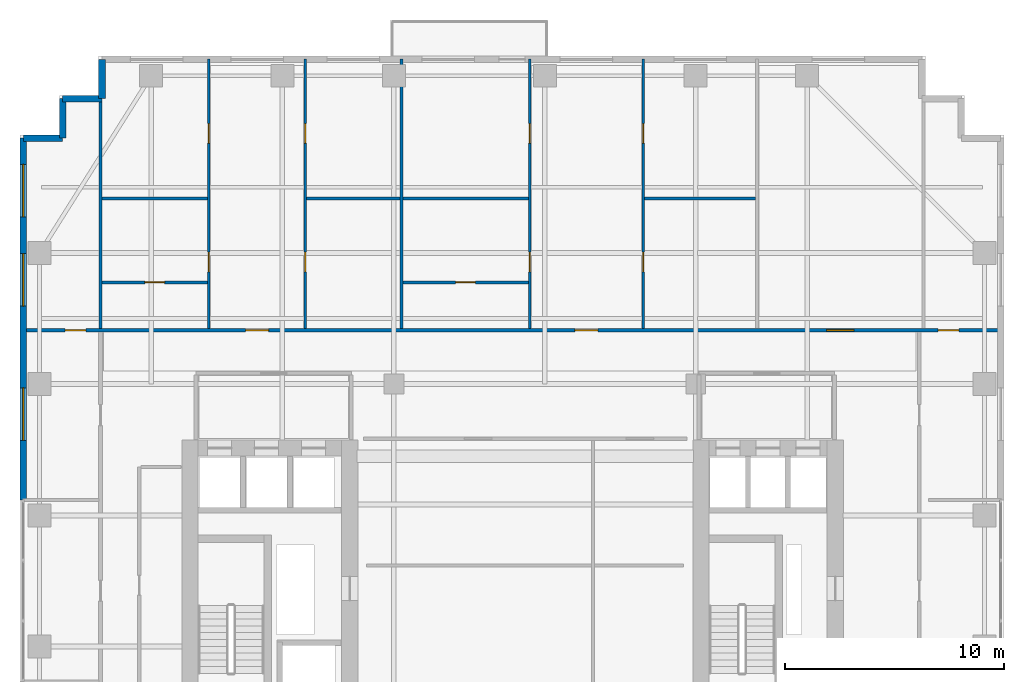
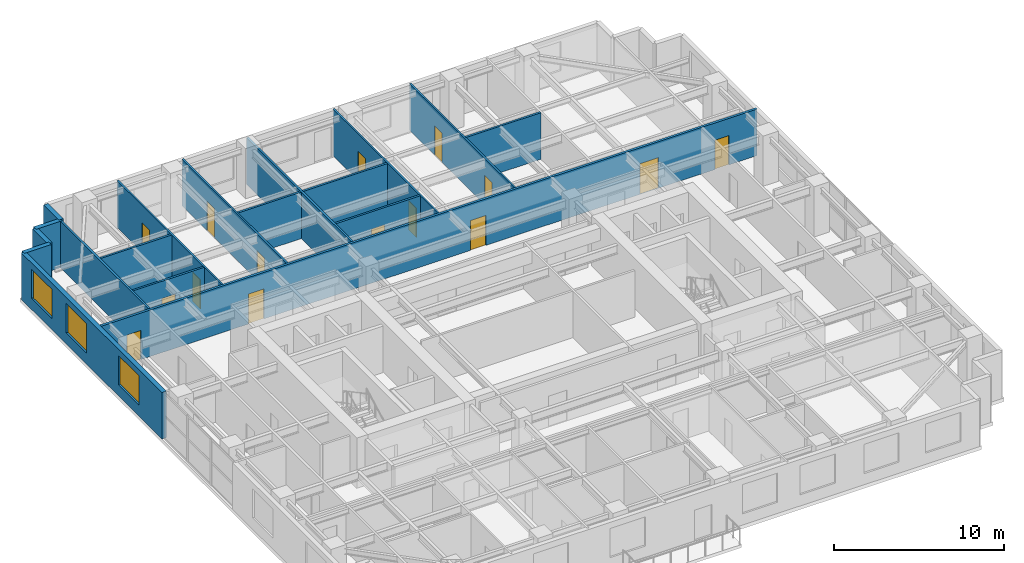
# One storey, part 11 of 16: 18 walls, 15 doors, 3 windows, 18 openings.
"""IFC4 building model written with IfcOpenShell, lengths in metres."""

from ifc_helpers import new_model, si_unit, direction, frame, frame_2d, origin, place, context, subcontext, project, spatial, rectangle, extrude, source, transform, mapped, material, layer, layer_set, type_object, element, fill, save


model = new_model("IFC4")

# Units and contexts
model_context = context("Model", 3, precision=1e-05, world=origin(), true_north=direction((0.0, 1.0)))
body_context = subcontext(model_context, "Body", "Model", "MODEL_VIEW")
ifc_project = project(units=[si_unit("LENGTHUNIT", "METRE"), si_unit("AREAUNIT", "SQUARE_METRE"), si_unit("VOLUMEUNIT", "CUBIC_METRE"), si_unit("PLANEANGLEUNIT", "RADIAN"), si_unit("MASSUNIT", "GRAM", prefix="KILO")], contexts=[model_context])

# Site, building, storey
site_placement = place(None, origin())
site = spatial("IfcSite", under=ifc_project, at=site_placement, CompositionType="ELEMENT")
building_placement = place(site_placement, origin())
building = spatial("IfcBuilding", under=site, at=building_placement, Name="Khoralis Quay Care Tower", CompositionType="ELEMENT")
storey_placement = place(building_placement, frame((0.0, 0.0, 137.699951171875)))
storey = spatial("IfcBuildingStorey", under=building, at=storey_placement, Name="L36", CompositionType="ELEMENT", Elevation=137.699951171875)

# Wall, openings, doors
ifc_material_1 = material(Name="Gypsum plasterboard on acoustic metal stud")
ifc_layer_1 = layer(ifc_material_1, 0.1650390625)
ifc_layer_set_1 = layer_set([ifc_layer_1], Name="Gypsum plasterboard on acoustic metal stud")
wall_type_1 = type_object("IfcWallType", Name="WL-CORR-165", PredefinedType="PARTITIONING", material=ifc_layer_set_1)
wall_1_placement = place(storey_placement, frame((0.14501953125, 32.4599609375, 0.0), z_axis=(0.0, 0.0, 1.0), x_axis=(1.0, 0.0, 0.0)))
wall_1 = element("IfcWall", 1, at=wall_1_placement, inside=storey, type_object=wall_type_1, Name="L36 North Main Corridor Wall", PredefinedType="PARTITIONING", context=body_context, shape_type="SweptSolid", body=[
    extrude(rectangle(XDim=44.7099609375, YDim=0.1650390625, at=frame_2d((22.35498046875, 0.0))), origin(), (0.0, 0.0, 1.0), 3.340087890625),
])
opening_1_placement = place(wall_1_placement, frame((10.17041015625, 0.0, 0.0)))
opening_1 = element("IfcOpeningElement", 2, at=opening_1_placement, cuts=wall_1, Name="Opening UD1", PredefinedType="OPENING", context=body_context, shape_type="SweptSolid", body=[
    extrude(rectangle(XDim=1.050048828125, YDim=2.14990234375, at=frame_2d((0.52490234375, 1.074951171875))), frame((0.0, 0.092529296875, 0.0), z_axis=(0.0, -1.0, 0.0), x_axis=(1.0, 0.0, 0.0)), (0.0, 0.0, 1.0), 0.18505859375),
])
opening_2_placement = place(wall_1_placement, frame((25.235595703125, 0.0, 0.0)))
opening_2 = element("IfcOpeningElement", 3, at=opening_2_placement, cuts=wall_1, Name="Opening UD1", PredefinedType="OPENING", context=body_context, shape_type="SweptSolid", body=[
    extrude(rectangle(XDim=1.050048828125, YDim=2.14990234375, at=frame_2d((0.52490234375, 1.074951171875))), frame((0.0, 0.092529296875, 0.0), z_axis=(0.0, -1.0, 0.0), x_axis=(1.0, 0.0, 0.0)), (0.0, 0.0, 1.0), 0.18505859375),
])
opening_3_placement = place(wall_1_placement, frame((36.7451171875, 0.0, 0.0)))
opening_3 = element("IfcOpeningElement", 4, at=opening_3_placement, cuts=wall_1, Name="Opening CD1", PredefinedType="OPENING", context=body_context, shape_type="SweptSolid", body=[
    extrude(rectangle(XDim=1.25, YDim=2.199951171875, at=frame_2d((0.625, 1.10009765625))), frame((0.0, 0.092529296875, 0.0), z_axis=(0.0, -1.0, 0.0), x_axis=(1.0, 0.0, 0.0)), (0.0, 0.0, 1.0), 0.18505859375),
])
opening_4_placement = place(wall_1_placement, frame((1.919921875, 0.0, 0.0)))
opening_4 = element("IfcOpeningElement", 5, at=opening_4_placement, cuts=wall_1, Name="Opening ID1", PredefinedType="OPENING", context=body_context, shape_type="SweptSolid", body=[
    extrude(rectangle(XDim=0.949951171875, YDim=2.10009765625, at=frame_2d((0.47509765625, 1.050048828125))), frame((0.0, 0.092529296875, 0.0), z_axis=(0.0, -1.0, 0.0), x_axis=(1.0, 0.0, 0.0)), (0.0, 0.0, 1.0), 0.18505859375),
])
opening_5_placement = place(wall_1_placement, frame((41.840087890625, 0.0, 0.0)))
opening_5 = element("IfcOpeningElement", 6, at=opening_5_placement, cuts=wall_1, Name="Opening ID1", PredefinedType="OPENING", context=body_context, shape_type="SweptSolid", body=[
    extrude(rectangle(XDim=0.949951171875, YDim=2.10009765625, at=frame_2d((0.47509765625, 1.050048828125))), frame((0.0, 0.092529296875, 0.0), z_axis=(0.0, -1.0, 0.0), x_axis=(1.0, 0.0, 0.0)), (0.0, 0.0, 1.0), 0.18505859375),
])
ifc_material_2 = material(Name="Acoustic hardwood timber", Category="wood")
door_type_1 = type_object("IfcDoorType", Name="DR-CARE-1250X2200", OperationType="NOTDEFINED", PredefinedType="DOOR", material=ifc_material_2)
shared_shape_1 = source(origin(), body_context, "Body", "SweptSolid", [
    extrude(rectangle(XDim=1.25, YDim=2.199951171875, at=frame_2d((0.625, 1.10009765625))), frame((0.0, 0.02490234375, 0.0), z_axis=(0.0, -1.0, 0.0), x_axis=(1.0, 0.0, 0.0)), (0.0, 0.0, 1.0), 0.050048828125),
])
door_1_placement = place(opening_3_placement, origin())
door_1 = element("IfcDoor", 7, at=door_1_placement, inside=storey, type_object=door_type_1, Name="L36 Geriatric Consultation Clinic Door", OperationType="SINGLE_SWING_RIGHT", OverallHeight=2.199951171875, OverallWidth=1.25, PredefinedType="DOOR", context=body_context, shape_type="MappedRepresentation", body=[
    mapped(shared_shape_1, transform((0.0, 0.0, 0.0), scale=1.0)),
])
fill(opening_3, door_1)
door_type_2 = type_object("IfcDoorType", Name="DR-ROOM-950X2100", OperationType="NOTDEFINED", PredefinedType="DOOR", material=ifc_material_2)
shared_shape_2 = source(origin(), body_context, "Body", "SweptSolid", [
    extrude(rectangle(XDim=0.949951171875, YDim=2.10009765625, at=frame_2d((0.47509765625, 1.050048828125))), frame((0.0, 0.02490234375, 0.0), z_axis=(0.0, -1.0, 0.0), x_axis=(1.0, 0.0, 0.0)), (0.0, 0.0, 1.0), 0.050048828125),
])
door_2_placement = place(opening_4_placement, origin())
door_2 = element("IfcDoor", 8, at=door_2_placement, inside=storey, type_object=door_type_2, Name="L36 NW Corner Door", OperationType="SINGLE_SWING_RIGHT", OverallHeight=2.10009765625, OverallWidth=0.949951171875, PredefinedType="DOOR", context=body_context, shape_type="MappedRepresentation", body=[
    mapped(shared_shape_2, transform((0.0, 0.0, 0.0), scale=1.0)),
])
fill(opening_4, door_2)
door_3_placement = place(opening_5_placement, origin())
door_3 = element("IfcDoor", 9, at=door_3_placement, inside=storey, type_object=door_type_2, Name="L36 NE Corner Door", OperationType="SINGLE_SWING_LEFT", OverallHeight=2.10009765625, OverallWidth=0.949951171875, PredefinedType="DOOR", context=body_context, shape_type="MappedRepresentation", body=[
    mapped(shared_shape_2, transform((0.0, 0.0, 0.0), scale=1.0)),
])
fill(opening_5, door_3)
door_type_3 = type_object("IfcDoorType", Name="DR-SUITE-1050X2150", OperationType="NOTDEFINED", PredefinedType="DOOR", material=ifc_material_2)
shared_shape_3 = source(origin(), body_context, "Body", "SweptSolid", [
    extrude(rectangle(XDim=1.050048828125, YDim=2.14990234375, at=frame_2d((0.52490234375, 1.074951171875))), frame((0.0, 0.02490234375, 0.0), z_axis=(0.0, -1.0, 0.0), x_axis=(1.0, 0.0, 0.0)), (0.0, 0.0, 1.0), 0.050048828125),
])
door_4_placement = place(opening_1_placement, origin())
door_4 = element("IfcDoor", 10, at=door_4_placement, inside=storey, type_object=door_type_3, Name="L36 2BR NB0 Entrance", OperationType="SINGLE_SWING_RIGHT", OverallHeight=2.14990234375, OverallWidth=1.050048828125, PredefinedType="DOOR", context=body_context, shape_type="MappedRepresentation", body=[
    mapped(shared_shape_3, transform((0.0, 0.0, 0.0), scale=1.0)),
])
fill(opening_1, door_4)
door_5_placement = place(opening_2_placement, origin())
door_5 = element("IfcDoor", 11, at=door_5_placement, inside=storey, type_object=door_type_3, Name="L36 2BR NB1 Entrance", OperationType="SINGLE_SWING_LEFT", OverallHeight=2.14990234375, OverallWidth=1.050048828125, PredefinedType="DOOR", context=body_context, shape_type="MappedRepresentation", body=[
    mapped(shared_shape_3, transform((0.0, 0.0, 0.0), scale=1.0)),
])
fill(opening_2, door_5)

# Walls
ifc_material_3 = material(Name="Precast concrete C45/55", Category="concrete")
ifc_layer_2 = layer(ifc_material_3, 0.300048828125)
ifc_layer_set_2 = layer_set([ifc_layer_2], Name="Precast concrete C45/55")
wall_type_2 = type_object("IfcWallType", Name="WL-EXT-REF-300", PredefinedType="SOLIDWALL", material=ifc_layer_set_2)
for number, where, z_axis, x_axis, name in (
    (12, (3.75, 44.85009765625, 0.0), (0.0, 0.0, 1.0), (0.0, -1.0, 0.0), "L36 External Facade Wall WL-EXT-L36-P1-C11"),
    (13, (3.75, 43.050048828125, 0.0), (0.0, 0.0, 1.0), (-1.0, 0.0, 0.0), "L36 External Facade Wall WL-EXT-L36-P1-C12"),
    (14, (1.949951171875, 43.050048828125, 0.0), (0.0, 0.0, 1.0), (0.0, -1.0, 0.0), "L36 External Facade Wall WL-EXT-L36-P1-C13"),
    (15, (1.949951171875, 41.25, 0.0), (0.0, 0.0, 1.0), (-1.0, 0.0, 0.0), "L36 External Facade Wall WL-EXT-L36-P1-C14"),
):
    element("IfcWall", number, at=place(storey_placement, frame(where, z_axis=z_axis, x_axis=x_axis)), inside=storey, type_object=wall_type_2, Name=name, PredefinedType="SOLIDWALL", context=body_context, shape_type="SweptSolid", body=[
        extrude(rectangle(XDim=1.800048828125, YDim=0.300048828125, at=frame_2d((0.89990234375, 0.0))), origin(), (0.0, 0.0, 1.0), 3.340087890625),
    ])

# Wall, openings, windows
wall_2_placement = place(storey_placement, frame((0.14990234375, 41.25, 0.0), z_axis=(0.0, 0.0, 1.0), x_axis=(0.0, -1.0, 0.0)))
wall_2 = element("IfcWall", 16, at=wall_2_placement, inside=storey, type_object=wall_type_2, Name="L36 External Facade Wall WL-EXT-L36-P1-E15A", PredefinedType="SOLIDWALL", context=body_context, shape_type="SweptSolid", body=[
    extrude(rectangle(XDim=16.550048828125, YDim=0.300048828125, at=frame_2d((8.27490234375, 0.0))), origin(), (0.0, 0.0, 1.0), 3.340087890625),
])
opening_6_placement = place(wall_2_placement, frame((1.202392578125, 0.0, 0.800048828125)))
opening_6 = element("IfcOpeningElement", 17, at=opening_6_placement, cuts=wall_2, Name="Opening W1", PredefinedType="OPENING", context=body_context, shape_type="SweptSolid", body=[
    extrude(rectangle(XDim=2.39990234375, YDim=2.10009765625, at=frame_2d((1.199951171875, 1.050048828125))), frame((0.0, 0.16015625, 0.0), z_axis=(0.0, -1.0, 0.0), x_axis=(1.0, 0.0, 0.0)), (0.0, 0.0, 1.0), 0.320068359375),
])
opening_7_placement = place(wall_2_placement, frame((5.28759765625, 0.0, 0.800048828125)))
opening_7 = element("IfcOpeningElement", 18, at=opening_7_placement, cuts=wall_2, Name="Opening W1", PredefinedType="OPENING", context=body_context, shape_type="SweptSolid", body=[
    extrude(rectangle(XDim=2.39990234375, YDim=2.10009765625, at=frame_2d((1.199951171875, 1.050048828125))), frame((0.0, 0.16015625, 0.0), z_axis=(0.0, -1.0, 0.0), x_axis=(1.0, 0.0, 0.0)), (0.0, 0.0, 1.0), 0.320068359375),
])
opening_8_placement = place(wall_2_placement, frame((11.419921875, 0.0, 0.800048828125)))
opening_8 = element("IfcOpeningElement", 19, at=opening_8_placement, cuts=wall_2, Name="Opening W1", PredefinedType="OPENING", context=body_context, shape_type="SweptSolid", body=[
    extrude(rectangle(XDim=2.39990234375, YDim=2.10009765625, at=frame_2d((1.199951171875, 1.050048828125))), frame((0.0, 0.16015625, 0.0), z_axis=(0.0, -1.0, 0.0), x_axis=(1.0, 0.0, 0.0)), (0.0, 0.0, 1.0), 0.320068359375),
])
ifc_material_4 = material(Name="Low-E solar-control double glazing", Category="glass")
window_type = type_object("IfcWindowType", Name="WN-POD-2400X2100", PartitioningType="SINGLE_PANEL", PredefinedType="WINDOW", material=ifc_material_4)
shared_shape_4 = source(origin(), body_context, "Body", "SweptSolid", [
    extrude(rectangle(XDim=2.39990234375, YDim=2.10009765625, at=frame_2d((1.199951171875, 1.050048828125))), frame((0.0, 0.030029296875, 0.0), z_axis=(0.0, -1.0, 0.0), x_axis=(1.0, 0.0, 0.0)), (0.0, 0.0, 1.0), 0.06005859375),
])
window_1_placement = place(opening_6_placement, origin())
window_1 = element("IfcWindow", 20, at=window_1_placement, inside=storey, type_object=window_type, Name="WN-L36-P1-E15A Facade Window 01", OverallHeight=2.10009765625, OverallWidth=2.39990234375, PartitioningType="SINGLE_PANEL", PredefinedType="WINDOW", context=body_context, shape_type="MappedRepresentation", body=[
    mapped(shared_shape_4, transform((0.0, 0.0, 0.0), scale=1.0)),
])
fill(opening_6, window_1)
window_2_placement = place(opening_7_placement, origin())
window_2 = element("IfcWindow", 21, at=window_2_placement, inside=storey, type_object=window_type, Name="WN-L36-P1-E15A Facade Window 02", OverallHeight=2.10009765625, OverallWidth=2.39990234375, PartitioningType="SINGLE_PANEL", PredefinedType="WINDOW", context=body_context, shape_type="MappedRepresentation", body=[
    mapped(shared_shape_4, transform((0.0, 0.0, 0.0), scale=1.0)),
])
fill(opening_7, window_2)
window_3_placement = place(opening_8_placement, origin())
window_3 = element("IfcWindow", 22, at=window_3_placement, inside=storey, type_object=window_type, Name="WN-L36-P1-E15A Facade Window 03", OverallHeight=2.10009765625, OverallWidth=2.39990234375, PartitioningType="SINGLE_PANEL", PredefinedType="WINDOW", context=body_context, shape_type="MappedRepresentation", body=[
    mapped(shared_shape_4, transform((0.0, 0.0, 0.0), scale=1.0)),
])
fill(opening_8, window_3)

# Wall, openings, doors
ifc_layer_3 = layer(ifc_material_1, 0.114990234375)
ifc_layer_set_3 = layer_set([ifc_layer_3], Name="Gypsum plasterboard on acoustic metal stud")
wall_type_3 = type_object("IfcWallType", Name="WL-PART-115", PredefinedType="PARTITIONING", material=ifc_layer_set_3)
wall_3_placement = place(storey_placement, frame((8.636962890625, 32.53759765625, 0.0), z_axis=(0.0, 0.0, 1.0), x_axis=(0.0, 1.0, 0.0)))
wall_3 = element("IfcWall", 23, at=wall_3_placement, inside=storey, type_object=wall_type_3, Name="L36 2BR 0 Left Wall", PredefinedType="PARTITIONING", context=body_context, shape_type="SweptSolid", body=[
    extrude(rectangle(XDim=12.3173828125, YDim=0.114990234375, at=frame_2d((6.15869140625, 0.0))), origin(), (0.0, 0.0, 1.0), 3.340087890625),
])
opening_9_placement = place(wall_3_placement, frame((8.47705078125, 0.0, 0.0)))
opening_9 = element("IfcOpeningElement", 24, at=opening_9_placement, cuts=wall_3, Name="Opening WD1", PredefinedType="OPENING", context=body_context, shape_type="SweptSolid", body=[
    extrude(rectangle(XDim=0.89990234375, YDim=2.10009765625, at=frame_2d((0.449951171875, 1.050048828125))), frame((0.0, 0.0673828125, 0.0), z_axis=(0.0, -1.0, 0.0), x_axis=(1.0, 0.0, 0.0)), (0.0, 0.0, 1.0), 0.135009765625),
])
opening_10_placement = place(wall_3_placement, frame((2.596923828125, 0.0, 0.0)))
opening_10 = element("IfcOpeningElement", 25, at=opening_10_placement, cuts=wall_3, Name="Opening WD1", PredefinedType="OPENING", context=body_context, shape_type="SweptSolid", body=[
    extrude(rectangle(XDim=0.89990234375, YDim=2.10009765625, at=frame_2d((0.449951171875, 1.050048828125))), frame((0.0, 0.0673828125, 0.0), z_axis=(0.0, -1.0, 0.0), x_axis=(1.0, 0.0, 0.0)), (0.0, 0.0, 1.0), 0.135009765625),
])
door_type_4 = type_object("IfcDoorType", Name="DR-BATH-900X2100", OperationType="NOTDEFINED", PredefinedType="DOOR", material=ifc_material_2)
shared_shape_5 = source(origin(), body_context, "Body", "SweptSolid", [
    extrude(rectangle(XDim=0.89990234375, YDim=2.10009765625, at=frame_2d((0.449951171875, 1.050048828125))), frame((0.0, 0.02490234375, 0.0), z_axis=(0.0, -1.0, 0.0), x_axis=(1.0, 0.0, 0.0)), (0.0, 0.0, 1.0), 0.050048828125),
])
door_6_placement = place(opening_9_placement, origin())
door_6 = element("IfcDoor", 26, at=door_6_placement, inside=storey, type_object=door_type_4, Name="L36 2BR BD1 Door", OperationType="SINGLE_SWING_LEFT", OverallHeight=2.10009765625, OverallWidth=0.89990234375, PredefinedType="DOOR", context=body_context, shape_type="MappedRepresentation", body=[
    mapped(shared_shape_5, transform((0.0, 0.0, 0.0), scale=1.0)),
])
fill(opening_9, door_6)
door_7_placement = place(opening_10_placement, origin())
door_7 = element("IfcDoor", 27, at=door_7_placement, inside=storey, type_object=door_type_4, Name="L36 2BR BTH Door", OperationType="SINGLE_SWING_RIGHT", OverallHeight=2.10009765625, OverallWidth=0.89990234375, PredefinedType="DOOR", context=body_context, shape_type="MappedRepresentation", body=[
    mapped(shared_shape_5, transform((0.0, 0.0, 0.0), scale=1.0)),
])
fill(opening_10, door_7)

wall_4_placement = place(storey_placement, frame((13.0439453125, 32.53759765625, 0.0), z_axis=(0.0, 0.0, 1.0), x_axis=(0.0, 1.0, 0.0)))
wall_4 = element("IfcWall", 28, at=wall_4_placement, inside=storey, type_object=wall_type_3, Name="L36 2BR 0 Right Wall", PredefinedType="PARTITIONING", context=body_context, shape_type="SweptSolid", body=[
    extrude(rectangle(XDim=12.3173828125, YDim=0.114990234375, at=frame_2d((6.15869140625, 0.0))), origin(), (0.0, 0.0, 1.0), 3.340087890625),
])
opening_11_placement = place(wall_4_placement, frame((8.47705078125, 0.0, 0.0)))
opening_11 = element("IfcOpeningElement", 29, at=opening_11_placement, cuts=wall_4, Name="Opening WD1", PredefinedType="OPENING", context=body_context, shape_type="SweptSolid", body=[
    extrude(rectangle(XDim=0.89990234375, YDim=2.10009765625, at=frame_2d((0.449951171875, 1.050048828125))), frame((0.0, 0.0673828125, 0.0), z_axis=(0.0, -1.0, 0.0), x_axis=(1.0, 0.0, 0.0)), (0.0, 0.0, 1.0), 0.135009765625),
])
opening_12_placement = place(wall_4_placement, frame((2.596923828125, 0.0, 0.0)))
opening_12 = element("IfcOpeningElement", 30, at=opening_12_placement, cuts=wall_4, Name="Opening WD1", PredefinedType="OPENING", context=body_context, shape_type="SweptSolid", body=[
    extrude(rectangle(XDim=0.89990234375, YDim=2.10009765625, at=frame_2d((0.449951171875, 1.050048828125))), frame((0.0, 0.0673828125, 0.0), z_axis=(0.0, -1.0, 0.0), x_axis=(1.0, 0.0, 0.0)), (0.0, 0.0, 1.0), 0.135009765625),
])
door_8_placement = place(opening_11_placement, frame((0.89990234375, 0.0, 0.0), z_axis=(0.0, 0.0, 1.0), x_axis=(-1.0, 0.0, 0.0)))
door_8 = element("IfcDoor", 31, at=door_8_placement, inside=storey, type_object=door_type_4, Name="L36 2BR BD2 Door", OperationType="SINGLE_SWING_LEFT", OverallHeight=2.10009765625, OverallWidth=0.89990234375, PredefinedType="DOOR", context=body_context, shape_type="MappedRepresentation", body=[
    mapped(shared_shape_5, transform((0.0, 0.0, 0.0), scale=1.0)),
])
fill(opening_11, door_8)
door_9_placement = place(opening_12_placement, frame((0.89990234375, 0.0, 0.0), z_axis=(0.0, 0.0, 1.0), x_axis=(-1.0, 0.0, 0.0)))
door_9 = element("IfcDoor", 32, at=door_9_placement, inside=storey, type_object=door_type_4, Name="L36 2BR KIT Door", OperationType="SINGLE_SWING_RIGHT", OverallHeight=2.10009765625, OverallWidth=0.89990234375, PredefinedType="DOOR", context=body_context, shape_type="MappedRepresentation", body=[
    mapped(shared_shape_5, transform((0.0, 0.0, 0.0), scale=1.0)),
])
fill(opening_12, door_9)

wall_5_placement = place(storey_placement, frame((23.303955078125, 32.53759765625, 0.0), z_axis=(0.0, 0.0, 1.0), x_axis=(0.0, 1.0, 0.0)))
wall_5 = element("IfcWall", 33, at=wall_5_placement, inside=storey, type_object=wall_type_3, Name="L36 2BR 1 Left Wall", PredefinedType="PARTITIONING", context=body_context, shape_type="SweptSolid", body=[
    extrude(rectangle(XDim=12.3173828125, YDim=0.114990234375, at=frame_2d((6.15869140625, 0.0))), origin(), (0.0, 0.0, 1.0), 3.340087890625),
])
opening_13_placement = place(wall_5_placement, frame((8.47705078125, 0.0, 0.0)))
opening_13 = element("IfcOpeningElement", 34, at=opening_13_placement, cuts=wall_5, Name="Opening WD1", PredefinedType="OPENING", context=body_context, shape_type="SweptSolid", body=[
    extrude(rectangle(XDim=0.89990234375, YDim=2.10009765625, at=frame_2d((0.449951171875, 1.050048828125))), frame((0.0, 0.0673828125, 0.0), z_axis=(0.0, -1.0, 0.0), x_axis=(1.0, 0.0, 0.0)), (0.0, 0.0, 1.0), 0.135009765625),
])
opening_14_placement = place(wall_5_placement, frame((2.596923828125, 0.0, 0.0)))
opening_14 = element("IfcOpeningElement", 35, at=opening_14_placement, cuts=wall_5, Name="Opening WD1", PredefinedType="OPENING", context=body_context, shape_type="SweptSolid", body=[
    extrude(rectangle(XDim=0.89990234375, YDim=2.10009765625, at=frame_2d((0.449951171875, 1.050048828125))), frame((0.0, 0.0673828125, 0.0), z_axis=(0.0, -1.0, 0.0), x_axis=(1.0, 0.0, 0.0)), (0.0, 0.0, 1.0), 0.135009765625),
])
door_10_placement = place(opening_13_placement, origin())
door_10 = element("IfcDoor", 36, at=door_10_placement, inside=storey, type_object=door_type_4, Name="L36 2BR BD1 Door", OperationType="SINGLE_SWING_RIGHT", OverallHeight=2.10009765625, OverallWidth=0.89990234375, PredefinedType="DOOR", context=body_context, shape_type="MappedRepresentation", body=[
    mapped(shared_shape_5, transform((0.0, 0.0, 0.0), scale=1.0)),
])
fill(opening_13, door_10)
door_11_placement = place(opening_14_placement, origin())
door_11 = element("IfcDoor", 37, at=door_11_placement, inside=storey, type_object=door_type_4, Name="L36 2BR BTH Door", OperationType="SINGLE_SWING_LEFT", OverallHeight=2.10009765625, OverallWidth=0.89990234375, PredefinedType="DOOR", context=body_context, shape_type="MappedRepresentation", body=[
    mapped(shared_shape_5, transform((0.0, 0.0, 0.0), scale=1.0)),
])
fill(opening_14, door_11)

wall_6_placement = place(storey_placement, frame((28.507080078125, 32.53759765625, 0.0), z_axis=(0.0, 0.0, 1.0), x_axis=(0.0, 1.0, 0.0)))
wall_6 = element("IfcWall", 38, at=wall_6_placement, inside=storey, type_object=wall_type_3, Name="L36 2BR 1 Right Wall", PredefinedType="PARTITIONING", context=body_context, shape_type="SweptSolid", body=[
    extrude(rectangle(XDim=12.3173828125, YDim=0.114990234375, at=frame_2d((6.15869140625, 0.0))), origin(), (0.0, 0.0, 1.0), 3.340087890625),
])
opening_15_placement = place(wall_6_placement, frame((8.47705078125, 0.0, 0.0)))
opening_15 = element("IfcOpeningElement", 39, at=opening_15_placement, cuts=wall_6, Name="Opening WD1", PredefinedType="OPENING", context=body_context, shape_type="SweptSolid", body=[
    extrude(rectangle(XDim=0.89990234375, YDim=2.10009765625, at=frame_2d((0.449951171875, 1.050048828125))), frame((0.0, 0.0673828125, 0.0), z_axis=(0.0, -1.0, 0.0), x_axis=(1.0, 0.0, 0.0)), (0.0, 0.0, 1.0), 0.135009765625),
])
opening_16_placement = place(wall_6_placement, frame((2.596923828125, 0.0, 0.0)))
opening_16 = element("IfcOpeningElement", 40, at=opening_16_placement, cuts=wall_6, Name="Opening WD1", PredefinedType="OPENING", context=body_context, shape_type="SweptSolid", body=[
    extrude(rectangle(XDim=0.89990234375, YDim=2.10009765625, at=frame_2d((0.449951171875, 1.050048828125))), frame((0.0, 0.0673828125, 0.0), z_axis=(0.0, -1.0, 0.0), x_axis=(1.0, 0.0, 0.0)), (0.0, 0.0, 1.0), 0.135009765625),
])
door_12_placement = place(opening_15_placement, frame((0.89990234375, 0.0, 0.0), z_axis=(0.0, 0.0, 1.0), x_axis=(-1.0, 0.0, 0.0)))
door_12 = element("IfcDoor", 41, at=door_12_placement, inside=storey, type_object=door_type_4, Name="L36 2BR BD2 Door", OperationType="SINGLE_SWING_RIGHT", OverallHeight=2.10009765625, OverallWidth=0.89990234375, PredefinedType="DOOR", context=body_context, shape_type="MappedRepresentation", body=[
    mapped(shared_shape_5, transform((0.0, 0.0, 0.0), scale=1.0)),
])
fill(opening_15, door_12)
door_13_placement = place(opening_16_placement, frame((0.89990234375, 0.0, 0.0), z_axis=(0.0, 0.0, 1.0), x_axis=(-1.0, 0.0, 0.0)))
door_13 = element("IfcDoor", 42, at=door_13_placement, inside=storey, type_object=door_type_4, Name="L36 2BR KIT Door", OperationType="SINGLE_SWING_LEFT", OverallHeight=2.10009765625, OverallWidth=0.89990234375, PredefinedType="DOOR", context=body_context, shape_type="MappedRepresentation", body=[
    mapped(shared_shape_5, transform((0.0, 0.0, 0.0), scale=1.0)),
])
fill(opening_16, door_13)

# Walls
ifc_material_5 = material(Name="Moisture-resistant gypsum and ceramic tile")
ifc_layer_4 = layer(ifc_material_5, 0.280029296875)
ifc_layer_set_4 = layer_set([ifc_layer_4], Name="Moisture-resistant gypsum and ceramic tile")
wall_type_4 = type_object("IfcWallType", Name="WL-PLUMB-280", PredefinedType="PLUMBINGWALL", material=ifc_layer_set_4)
wall_7_placement = place(storey_placement, frame((3.7451171875, 38.47900390625, 0.0), z_axis=(0.0, 0.0, 1.0), x_axis=(1.0, 0.0, 0.0)))
element("IfcWall", 43, at=wall_7_placement, inside=storey, type_object=wall_type_4, Name="L36 2BR 0 Left Split", PredefinedType="PLUMBINGWALL", context=body_context, shape_type="SweptSolid", body=[
    extrude(rectangle(XDim=4.83935546875, YDim=0.139892578125, at=frame_2d((2.419677734375, 0.0))), origin(), (0.0, 0.0, 1.0), 3.340087890625),
])
wall_8_placement = place(storey_placement, frame((13.096435546875, 38.47900390625, 0.0), z_axis=(0.0, 0.0, 1.0), x_axis=(1.0, 0.0, 0.0)))
element("IfcWall", 44, at=wall_8_placement, inside=storey, type_object=wall_type_4, Name="L36 2BR 0 Right Split", PredefinedType="PLUMBINGWALL", context=body_context, shape_type="SweptSolid", body=[
    extrude(rectangle(XDim=4.28857421875, YDim=0.139892578125, at=frame_2d((2.144287109375, 0.0))), origin(), (0.0, 0.0, 1.0), 3.340087890625),
])
wall_9_placement = place(storey_placement, frame((17.514892578125, 38.47900390625, 0.0), z_axis=(0.0, 0.0, 1.0), x_axis=(1.0, 0.0, 0.0)))
element("IfcWall", 45, at=wall_9_placement, inside=storey, type_object=wall_type_4, Name="L36 2BR 1 Left Split", PredefinedType="PLUMBINGWALL", context=body_context, shape_type="SweptSolid", body=[
    extrude(rectangle(XDim=5.736572265625, YDim=0.139892578125, at=frame_2d((2.8681640625, 0.0))), origin(), (0.0, 0.0, 1.0), 3.340087890625),
])
wall_10_placement = place(storey_placement, frame((28.5595703125, 38.47900390625, 0.0), z_axis=(0.0, 0.0, 1.0), x_axis=(1.0, 0.0, 0.0)))
element("IfcWall", 46, at=wall_10_placement, inside=storey, type_object=wall_type_4, Name="L36 2BR 1 Right Split", PredefinedType="PLUMBINGWALL", context=body_context, shape_type="SweptSolid", body=[
    extrude(rectangle(XDim=5.08544921875, YDim=0.139892578125, at=frame_2d((2.542724609375, 0.0))), origin(), (0.0, 0.0, 1.0), 3.340087890625),
])
ifc_layer_5 = layer(ifc_material_1, 0.139892578125)
ifc_layer_set_5 = layer_set([ifc_layer_5], Name="Gypsum plasterboard on acoustic metal stud")
wall_type_5 = type_object("IfcWallType", Name="WL-UNIT-140", PredefinedType="PARTITIONING", material=ifc_layer_set_5)
wall_11_placement = place(storey_placement, frame((3.679931640625, 32.53759765625, 0.0), z_axis=(0.0, 0.0, 1.0), x_axis=(0.0, 1.0, 0.0)))
element("IfcWall", 47, at=wall_11_placement, inside=storey, type_object=wall_type_5, Name="L36 NB Demising Wall 0", PredefinedType="PARTITIONING", context=body_context, shape_type="SweptSolid", body=[
    extrude(rectangle(XDim=10.517333984375, YDim=0.139892578125, at=frame_2d((5.2587890625, 0.0))), origin(), (0.0, 0.0, 1.0), 3.340087890625),
])
wall_12_placement = place(storey_placement, frame((17.449951171875, 32.53759765625, 0.0), z_axis=(0.0, 0.0, 1.0), x_axis=(0.0, 1.0, 0.0)))
element("IfcWall", 48, at=wall_12_placement, inside=storey, type_object=wall_type_5, Name="L36 NB Demising Wall 1", PredefinedType="PARTITIONING", context=body_context, shape_type="SweptSolid", body=[
    extrude(rectangle(XDim=12.3173828125, YDim=0.139892578125, at=frame_2d((6.15869140625, 0.0))), origin(), (0.0, 0.0, 1.0), 3.340087890625),
])

# Wall, opening, door
wall_13_placement = place(storey_placement, frame((3.7451171875, 34.64990234375, 0.0), z_axis=(0.0, 0.0, 1.0), x_axis=(1.0, 0.0, 0.0)))
wall_13 = element("IfcWall", 49, at=wall_13_placement, inside=storey, type_object=wall_type_5, Name="Family Apartment Bathroom L36-NB0 Sub-Partition", PredefinedType="PARTITIONING", context=body_context, shape_type="SweptSolid", body=[
    extrude(rectangle(XDim=4.83935546875, YDim=0.139892578125, at=frame_2d((2.419677734375, 0.0))), origin(), (0.0, 0.0, 1.0), 3.340087890625),
])
opening_17_placement = place(wall_13_placement, frame((1.96337890625, 0.0, 0.0)))
opening_17 = element("IfcOpeningElement", 50, at=opening_17_placement, cuts=wall_13, Name="Opening WD1", PredefinedType="OPENING", context=body_context, shape_type="SweptSolid", body=[
    extrude(rectangle(XDim=0.89990234375, YDim=2.10009765625, at=frame_2d((0.449951171875, 1.050048828125))), frame((0.0, 0.080078125, 0.0), z_axis=(0.0, -1.0, 0.0), x_axis=(1.0, 0.0, 0.0)), (0.0, 0.0, 1.0), 0.159912109375),
])
door_14_placement = place(opening_17_placement, origin())
door_14 = element("IfcDoor", 51, at=door_14_placement, inside=storey, type_object=door_type_4, Name="Linen & Utility Closet BTH0 Door", OperationType="SINGLE_SWING_LEFT", OverallHeight=2.10009765625, OverallWidth=0.89990234375, PredefinedType="DOOR", context=body_context, shape_type="MappedRepresentation", body=[
    mapped(shared_shape_5, transform((0.0, 0.0, 0.0), scale=1.0)),
])
fill(opening_17, door_14)

wall_14_placement = place(storey_placement, frame((17.514892578125, 34.64990234375, 0.0), z_axis=(0.0, 0.0, 1.0), x_axis=(1.0, 0.0, 0.0)))
wall_14 = element("IfcWall", 52, at=wall_14_placement, inside=storey, type_object=wall_type_5, Name="Family Apartment Bathroom L36-NB1 Sub-Partition", PredefinedType="PARTITIONING", context=body_context, shape_type="SweptSolid", body=[
    extrude(rectangle(XDim=5.736572265625, YDim=0.139892578125, at=frame_2d((2.8681640625, 0.0))), origin(), (0.0, 0.0, 1.0), 3.340087890625),
])
opening_18_placement = place(wall_14_placement, frame((2.412109375, 0.0, 0.0)))
opening_18 = element("IfcOpeningElement", 53, at=opening_18_placement, cuts=wall_14, Name="Opening WD1", PredefinedType="OPENING", context=body_context, shape_type="SweptSolid", body=[
    extrude(rectangle(XDim=0.89990234375, YDim=2.10009765625, at=frame_2d((0.449951171875, 1.050048828125))), frame((0.0, 0.080078125, 0.0), z_axis=(0.0, -1.0, 0.0), x_axis=(1.0, 0.0, 0.0)), (0.0, 0.0, 1.0), 0.159912109375),
])
door_15_placement = place(opening_18_placement, origin())
door_15 = element("IfcDoor", 54, at=door_15_placement, inside=storey, type_object=door_type_4, Name="Linen & Utility Closet BTH1 Door", OperationType="SINGLE_SWING_LEFT", OverallHeight=2.10009765625, OverallWidth=0.89990234375, PredefinedType="DOOR", context=body_context, shape_type="MappedRepresentation", body=[
    mapped(shared_shape_5, transform((0.0, 0.0, 0.0), scale=1.0)),
])
fill(opening_18, door_15)

save(model, "model.ifc")
